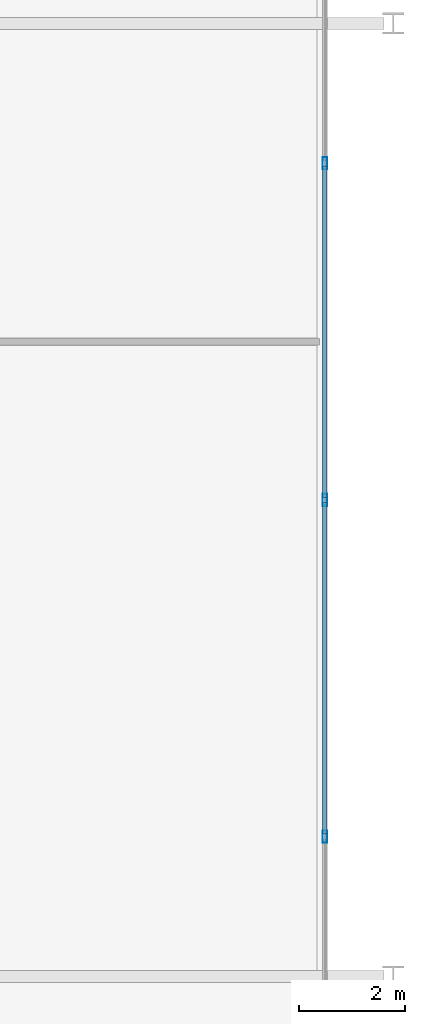
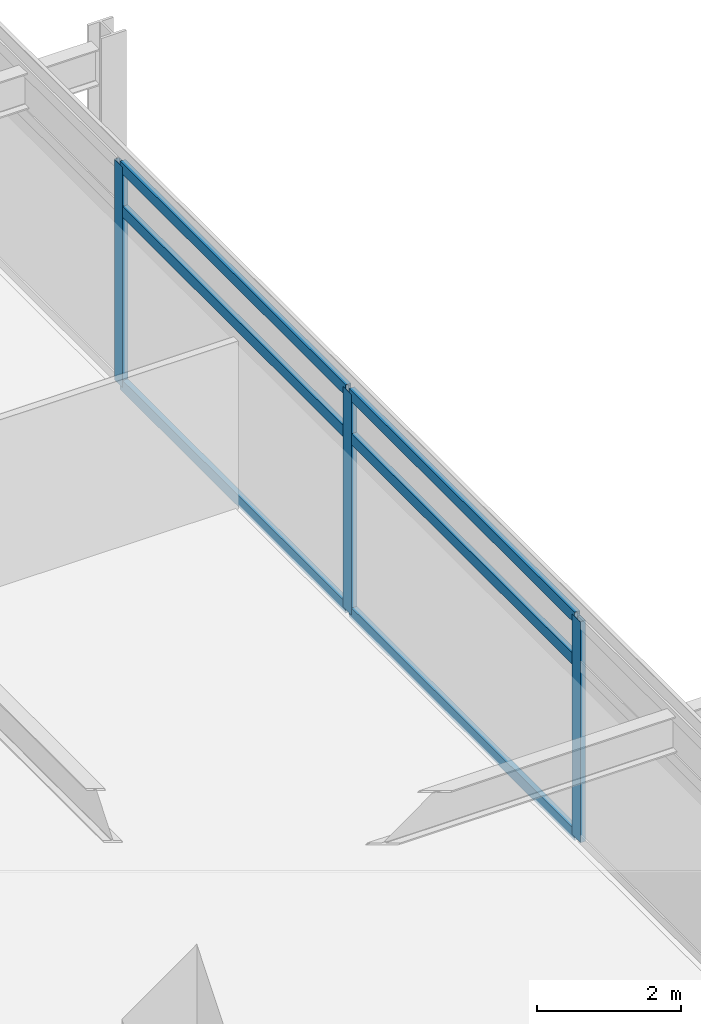
# One storey, part 9 of 23: 9 members, 1 element without a shape of its own.
"""IFC4 building model written with IfcOpenShell, lengths in metres."""

import ifcopenshell
import ifcopenshell.guid

model = None  # the IFC model being written
_history = None  # IfcOwnerHistory: only IFC2X3 demands one
_inside = {}  # id of a spatial element -> (the spatial element, [elements in it])
_under = {}  # id of a project, library or spatial element -> (it, [spatial elements below it])
_declared = {}  # id of a project -> (the project, [libraries it declares])
_typed = {}  # id of a type object -> (the type object, [elements of that type])
_made_of = {}  # id of a material, layer set ... -> (it, [elements and type objects made of it])


def new_model(schema):
    """Start an empty IFC model of exactly this schema.

    Asked for "IFC4X3", IfcOpenShell would pick the latest addendum, in which some entities
    have other attributes; the version numbers below select the first issue.
    IFC2X3 requires an IfcOwnerHistory on every rooted entity: one is made here for all.
    """
    global model, _history
    if schema == "IFC4X3":
        model = ifcopenshell.file(schema_version=(4, 3, 0, 0))
    else:
        model = ifcopenshell.file(schema=schema)
    _inside.clear()
    _under.clear()
    _declared.clear()
    _typed.clear()
    _made_of.clear()
    _history = None
    if model.schema == "IFC2X3":
        org = make("IfcOrganization", Name="unknown")
        user = make(
            "IfcPersonAndOrganization",
            ThePerson=make("IfcPerson", FamilyName="unknown"),
            TheOrganization=org,
        )
        app = make(
            "IfcApplication",
            ApplicationDeveloper=org,
            Version="unknown",
            ApplicationFullName="unknown",
            ApplicationIdentifier="unknown",
        )
        _history = make(
            "IfcOwnerHistory",
            OwningUser=user,
            OwningApplication=app,
            ChangeAction="ADDED",
            CreationDate=0,
        )
    return model


def make(cls, **values):
    """One entity of the class cls with the attributes given. An attribute that is None is left unset."""
    return model.create_entity(
        cls, **{name: value for name, value in values.items() if value is not None}
    )


def rooted(cls, **values):
    """An entity with a GlobalId (a new one), such as an element, a storey or a relation."""
    return make(cls, GlobalId=ifcopenshell.guid.new(), OwnerHistory=_history, **values)


def si_unit(unit_type, name, prefix=None):
    """IfcSIUnit, for example si_unit("LENGTHUNIT", "METRE", prefix="MILLI")."""
    return make("IfcSIUnit", UnitType=unit_type, Prefix=prefix, Name=name)


def assignment(units):
    """IfcUnitAssignment: the units of a project."""
    return None if units is None else make("IfcUnitAssignment", Units=units)


def point(xyz):
    """IfcCartesianPoint."""
    return None if xyz is None else make("IfcCartesianPoint", Coordinates=xyz)


def direction(xyz):
    """IfcDirection."""
    return None if xyz is None else make("IfcDirection", DirectionRatios=xyz)


def frame(location, z_axis=None, x_axis=None):
    """IfcAxis2Placement3D, a coordinate frame: its origin and axes. An axis left out is left unset."""
    return make(
        "IfcAxis2Placement3D",
        Location=point(location),
        Axis=direction(z_axis),
        RefDirection=direction(x_axis),
    )


def frame_2d(location, x_axis=None):
    """IfcAxis2Placement2D, a coordinate frame in the plane: its origin and x axis."""
    return make(
        "IfcAxis2Placement2D", Location=point(location), RefDirection=direction(x_axis)
    )


def origin():
    """The frame at (0, 0, 0) with its axes left unset."""
    return frame((0.0, 0.0, 0.0))


def origin_2d():
    """The frame at (0, 0) in the plane with its x axis left unset."""
    return frame_2d((0.0, 0.0))


def place(relative_to, where):
    """IfcLocalPlacement: puts the frame where relative to a parent placement (None: the world)."""
    return make(
        "IfcLocalPlacement", PlacementRelTo=relative_to, RelativePlacement=where
    )


def context(
    kind, dimensions, precision=None, world=None, true_north=None, identifier=None
):
    """IfcGeometricRepresentationContext, for example the 3D "Model" context."""
    return make(
        "IfcGeometricRepresentationContext",
        ContextIdentifier=identifier,
        ContextType=kind,
        CoordinateSpaceDimension=dimensions,
        Precision=precision,
        WorldCoordinateSystem=world,
        TrueNorth=true_north,
    )


def subcontext(parent, identifier, kind, view, scale=None):
    """IfcGeometricRepresentationSubContext, for example "Body" below "Model"."""
    return make(
        "IfcGeometricRepresentationSubContext",
        ContextIdentifier=identifier,
        ContextType=kind,
        ParentContext=parent,
        TargetScale=scale,
        TargetView=view,
    )


def project(units=None, contexts=None):
    """IfcProject with its units and contexts."""
    return rooted(
        "IfcProject",
        Name="project",
        RepresentationContexts=contexts,
        UnitsInContext=assignment(units),
    )


def spatial(cls, under=None, at=None, **own):
    """A site, building, storey or space (cls), placed at a placement, below another one or the project."""
    s = rooted(cls, ObjectPlacement=at, **own)
    if under is not None:
        _under.setdefault(under.id(), (under, []))[1].append(s)
    return s


def profile(cls, at=None, kind="AREA", **sizes):
    """A parametric profile (cls). Its sizes go by their IFC names, for example OverallWidth=200.0."""
    return make(cls, ProfileType=kind, Position=at, **sizes)


def hollow_rectangle(**sizes):
    """IfcRectangleHollowProfileDef."""
    return profile("IfcRectangleHollowProfileDef", **sizes)


def extrude(swept, where, along, depth):
    """IfcExtrudedAreaSolid: the profile swept, set in the frame where, extruded along a direction by depth."""
    return make(
        "IfcExtrudedAreaSolid",
        SweptArea=swept,
        Position=where,
        ExtrudedDirection=direction(along),
        Depth=depth,
    )


def shape(context_of_items, identifier, shape_type, items):
    """IfcShapeRepresentation: the items that make up one representation, for example the "Body"."""
    return make(
        "IfcShapeRepresentation",
        ContextOfItems=context_of_items,
        RepresentationIdentifier=identifier,
        RepresentationType=shape_type,
        Items=items,
    )


def material(Name=None, Category=None):
    """IfcMaterial."""
    return make("IfcMaterial", Name=Name, Category=Category)


def material_profile(
    of_material, cross_section, Name=None, Category=None, Priority=None
):
    """IfcMaterialProfile: a cross section and its material."""
    return make(
        "IfcMaterialProfile",
        Name=Name,
        Material=of_material,
        Profile=cross_section,
        Priority=Priority,
        Category=Category,
    )


def profile_set(profiles, Name=None, composite=None):
    """IfcMaterialProfileSet."""
    return make(
        "IfcMaterialProfileSet",
        Name=Name,
        MaterialProfiles=profiles,
        CompositeProfile=composite,
    )


def made_of(thing, what):
    """Note that an element or type object is made of a material, layer set ...; save() writes the relation."""
    if what is not None:
        _made_of.setdefault(what.id(), (what, []))[1].append(thing)
    return thing


def type_object(cls, material=None, **own):
    """A type object (cls), such as IfcWallType, which elements share."""
    return made_of(rooted(cls, **own), material)


def element(
    cls,
    number,
    at=None,
    inside=None,
    cuts=None,
    type_object=None,
    material=None,
    context=None,
    identifier="Body",
    shape_type=None,
    held_by="IfcProductDefinitionShape",
    body=None,
    shapes=None,
    **own,
):
    """One element of the class cls, such as IfcWall. Its Tag is "e" and its number.

    at: its placement. inside: the storey or other place that contains it. cuts: it is an
    opening in that element (IfcRelVoidsElement). A single representation is given by context,
    identifier, shape_type and body (its items); several are given by shapes. held_by: the class
    of the entity that holds the representations. save() writes the other relations.
    """
    e = rooted(cls, Tag="e%d" % number, ObjectPlacement=at, **own)
    if body is not None:
        shapes = [shape(context, identifier, shape_type, body)]
    if shapes is not None:
        e.Representation = make(held_by, Representations=shapes)
    if inside is not None:
        _inside.setdefault(inside.id(), (inside, []))[1].append(e)
    if cuts is not None:
        rooted(
            "IfcRelVoidsElement", RelatingBuildingElement=cuts, RelatedOpeningElement=e
        )
    if type_object is not None:
        _typed.setdefault(type_object.id(), (type_object, []))[1].append(e)
    return made_of(e, material)


def aggregate(whole, parts):
    """IfcRelAggregates: a whole, such as a stair, and the parts it consists of."""
    return rooted("IfcRelAggregates", RelatingObject=whole, RelatedObjects=parts)


def save(model, path):
    """Write the relations noted so far, then the file.

    IfcRelAggregates (storeys below a building ...), IfcRelContainedInSpatialStructure (elements
    in a storey), IfcRelDefinesByType, IfcRelAssociatesMaterial and IfcRelDeclares: one each for
    every whole, place, type object, material and project.
    """
    for whole, parts in _under.values():
        aggregate(whole, parts)
    for where, things in _inside.values():
        rooted(
            "IfcRelContainedInSpatialStructure",
            RelatedElements=things,
            RelatingStructure=where,
        )
    for kind, things in _typed.values():
        rooted("IfcRelDefinesByType", RelatedObjects=things, RelatingType=kind)
    for what, things in _made_of.values():
        rooted("IfcRelAssociatesMaterial", RelatedObjects=things, RelatingMaterial=what)
    for by, libraries in _declared.values():
        rooted("IfcRelDeclares", RelatingContext=by, RelatedDefinitions=libraries)
    model.write(path)


model = new_model("IFC4")

# Units and contexts
model_context = context("Model", 3, precision=1e-05, world=origin(), true_north=direction((0.0, 1.0)))
body_context = subcontext(model_context, "Body", "Model", "MODEL_VIEW")
ifc_project = project(units=[si_unit("LENGTHUNIT", "METRE"), si_unit("AREAUNIT", "SQUARE_METRE"), si_unit("VOLUMEUNIT", "CUBIC_METRE"), si_unit("PLANEANGLEUNIT", "RADIAN"), si_unit("MASSUNIT", "GRAM", prefix="KILO")], contexts=[model_context])

# Site, building, storey
site_placement = place(None, origin())
site = spatial("IfcSite", under=ifc_project, at=site_placement, CompositionType="ELEMENT")
building_placement = place(site_placement, origin())
building = spatial("IfcBuilding", under=site, at=building_placement, Name="Kovane Verandah Tower", CompositionType="ELEMENT")
storey_placement = place(building_placement, frame((0.0, 0.0, 243.199951171875)))
storey = spatial("IfcBuildingStorey", under=building, at=storey_placement, Name="L56", CompositionType="ELEMENT", Elevation=243.199951171875)

# Curtain wall, members
ifc_material_1 = material(Name="Champagne Anodised Aluminium Frame with Low-E Clear Laminated Glass", Category="aluminium")
curtain_wall_type = type_object("IfcCurtainWallType", Name="CW-SYS-05-HIGH", PredefinedType="NOTDEFINED", material=ifc_material_1)
curtain_wall_placement = place(storey_placement, origin())
curtain_wall = element("IfcCurtainWall", 1, at=curtain_wall_placement, inside=storey, type_object=curtain_wall_type, Name="L56 E Unitised Curtain Wall", PredefinedType="NOTDEFINED")
ifc_material_2 = material(Name="Champagne Anodised Aluminium 6063-T6", Category="aluminium")
ifc_material_profile_1 = material_profile(ifc_material_2, hollow_rectangle(XDim=0.0849609375, YDim=0.22998046875, WallThickness=0.00390625, at=origin_2d()), Name="AL85x230x4")
ifc_profile_set_1 = profile_set([ifc_material_profile_1], Name="Champagne Anodised Aluminium 6063-T6")
member_type_1 = type_object("IfcMemberType", Name="CW-MUL-85x230", PredefinedType="MULLION", material=ifc_profile_set_1)
member_1_placement = place(storey_placement, frame((66.3076171875, 21.139892578125, 0.02001953125), z_axis=(0.0, 0.0, 1.0), x_axis=(1.0, 0.0, 0.0)))
member_1 = element("IfcMember", 2, at=member_1_placement, type_object=member_type_1, Name="L56 E Unitised Curtain Wall Mullion 3", PredefinedType="MULLION", context=body_context, shape_type="SweptSolid", body=[
    extrude(hollow_rectangle(XDim=0.0849609375, YDim=0.22998046875, WallThickness=0.00390625, at=origin_2d()), origin(), (0.0, 0.0, 1.0), 3.7451171875),
])
member_2_placement = place(storey_placement, frame((66.3076171875, 27.5, 0.02001953125), z_axis=(0.0, 0.0, 1.0), x_axis=(1.0, 0.0, 0.0)))
member_2 = element("IfcMember", 3, at=member_2_placement, type_object=member_type_1, Name="L56 E Unitised Curtain Wall Mullion 4", PredefinedType="MULLION", context=body_context, shape_type="SweptSolid", body=[
    extrude(hollow_rectangle(XDim=0.0849609375, YDim=0.22998046875, WallThickness=0.00390625, at=origin_2d()), origin(), (0.0, 0.0, 1.0), 3.7451171875),
])
member_3_placement = place(storey_placement, frame((66.3076171875, 33.860107421875, 0.02001953125), z_axis=(0.0, 0.0, 1.0), x_axis=(1.0, 0.0, 0.0)))
member_3 = element("IfcMember", 4, at=member_3_placement, type_object=member_type_1, Name="L56 E Unitised Curtain Wall Mullion 5", PredefinedType="MULLION", context=body_context, shape_type="SweptSolid", body=[
    extrude(hollow_rectangle(XDim=0.0849609375, YDim=0.22998046875, WallThickness=0.00390625, at=origin_2d()), origin(), (0.0, 0.0, 1.0), 3.7451171875),
])
ifc_material_profile_2 = material_profile(ifc_material_2, hollow_rectangle(XDim=0.0849609375, YDim=0.18994140625, WallThickness=0.00390625, at=origin_2d()), Name="AL85x190x4")
ifc_profile_set_2 = profile_set([ifc_material_profile_2], Name="Champagne Anodised Aluminium 6063-T6")
member_type_2 = type_object("IfcMemberType", Name="CW-TRN-85x190", PredefinedType="USERDEFINED", material=ifc_profile_set_2)
member_4_placement = place(storey_placement, frame((66.3076171875, 21.18994140625, 0.050048828125), z_axis=(0.0, 1.0, 0.0), x_axis=(-1.0, 0.0, 0.0)))
member_4 = element("IfcMember", 5, at=member_4_placement, type_object=member_type_2, Name="L56 E Unitised Curtain Wall Transom TB Bay 3", ObjectType="TRANSOM", PredefinedType="USERDEFINED", context=body_context, shape_type="SweptSolid", body=[
    extrude(hollow_rectangle(XDim=0.0849609375, YDim=0.18994140625, WallThickness=0.00390625, at=origin_2d()), origin(), (0.0, 0.0, 1.0), 6.260009765625),
])
member_5_placement = place(storey_placement, frame((66.3076171875, 21.18994140625, 3.005126953125), z_axis=(0.0, 1.0, 0.0), x_axis=(-1.0, 0.0, 0.0)))
member_5 = element("IfcMember", 6, at=member_5_placement, type_object=member_type_2, Name="L56 E Unitised Curtain Wall Transom TM Bay 3", ObjectType="TRANSOM", PredefinedType="USERDEFINED", context=body_context, shape_type="SweptSolid", body=[
    extrude(hollow_rectangle(XDim=0.0849609375, YDim=0.18994140625, WallThickness=0.00390625, at=origin_2d()), origin(), (0.0, 0.0, 1.0), 6.260009765625),
])
member_6_placement = place(storey_placement, frame((66.3076171875, 21.18994140625, 3.735107421875), z_axis=(0.0, 1.0, 0.0), x_axis=(-1.0, 0.0, 0.0)))
member_6 = element("IfcMember", 7, at=member_6_placement, type_object=member_type_2, Name="L56 E Unitised Curtain Wall Transom TT Bay 3", ObjectType="TRANSOM", PredefinedType="USERDEFINED", context=body_context, shape_type="SweptSolid", body=[
    extrude(hollow_rectangle(XDim=0.0849609375, YDim=0.18994140625, WallThickness=0.00390625, at=origin_2d()), origin(), (0.0, 0.0, 1.0), 6.260009765625),
])
member_7_placement = place(storey_placement, frame((66.3076171875, 27.550048828125, 0.050048828125), z_axis=(0.0, 1.0, 0.0), x_axis=(-1.0, 0.0, 0.0)))
member_7 = element("IfcMember", 8, at=member_7_placement, type_object=member_type_2, Name="L56 E Unitised Curtain Wall Transom TB Bay 4", ObjectType="TRANSOM", PredefinedType="USERDEFINED", context=body_context, shape_type="SweptSolid", body=[
    extrude(hollow_rectangle(XDim=0.0849609375, YDim=0.18994140625, WallThickness=0.00390625, at=origin_2d()), origin(), (0.0, 0.0, 1.0), 6.260009765625),
])
member_8_placement = place(storey_placement, frame((66.3076171875, 27.550048828125, 3.005126953125), z_axis=(0.0, 1.0, 0.0), x_axis=(-1.0, 0.0, 0.0)))
member_8 = element("IfcMember", 9, at=member_8_placement, type_object=member_type_2, Name="L56 E Unitised Curtain Wall Transom TM Bay 4", ObjectType="TRANSOM", PredefinedType="USERDEFINED", context=body_context, shape_type="SweptSolid", body=[
    extrude(hollow_rectangle(XDim=0.0849609375, YDim=0.18994140625, WallThickness=0.00390625, at=origin_2d()), origin(), (0.0, 0.0, 1.0), 6.260009765625),
])
member_9_placement = place(storey_placement, frame((66.3076171875, 27.550048828125, 3.735107421875), z_axis=(0.0, 1.0, 0.0), x_axis=(-1.0, 0.0, 0.0)))
member_9 = element("IfcMember", 10, at=member_9_placement, type_object=member_type_2, Name="L56 E Unitised Curtain Wall Transom TT Bay 4", ObjectType="TRANSOM", PredefinedType="USERDEFINED", context=body_context, shape_type="SweptSolid", body=[
    extrude(hollow_rectangle(XDim=0.0849609375, YDim=0.18994140625, WallThickness=0.00390625, at=origin_2d()), origin(), (0.0, 0.0, 1.0), 6.260009765625),
])
aggregate(curtain_wall, [member_1, member_2, member_3, member_4, member_5, member_6, member_7, member_8, member_9])

save(model, "model.ifc")
